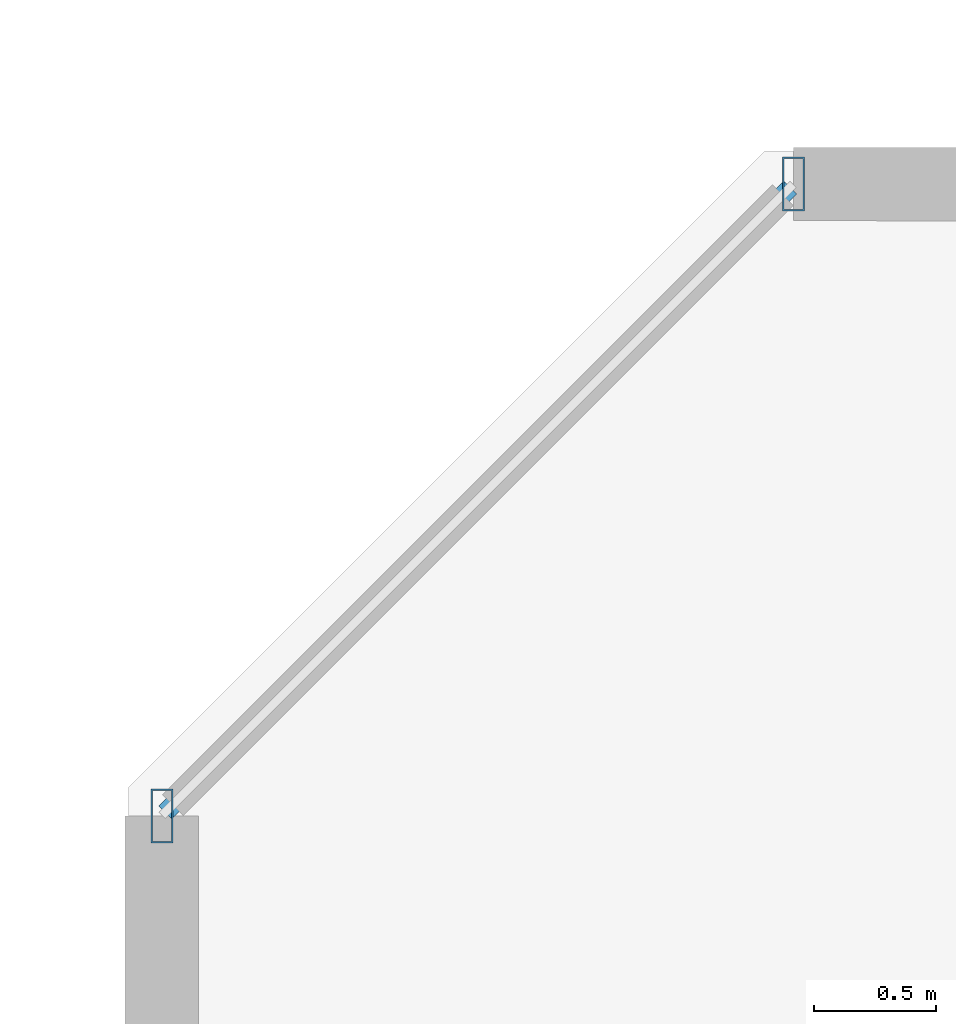
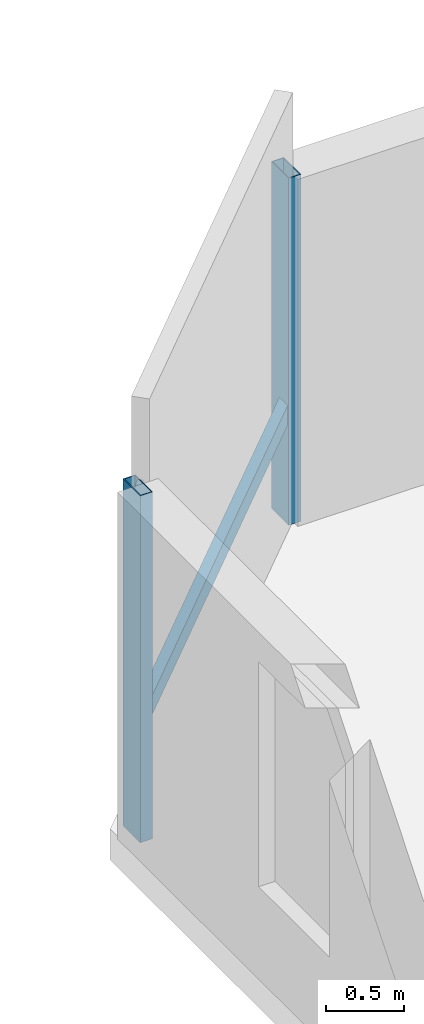
# One storey, part 15 of 33: 3 members, 1 element without a shape of its own.
"""IFC4 building model written with IfcOpenShell, lengths in metres."""

from ifc_helpers import new_model, si_unit, direction, frame, origin, origin_2d, place, context, subcontext, project, spatial, hollow_rectangle, extrude, material, material_profile, profile_set, type_object, element, aggregate, save


model = new_model("IFC4")

# Units and contexts
model_context = context("Model", 3, precision=1e-05, world=origin(), true_north=direction((0.0, 1.0)))
body_context = subcontext(model_context, "Body", "Model", "MODEL_VIEW")
ifc_project = project(units=[si_unit("LENGTHUNIT", "METRE"), si_unit("AREAUNIT", "SQUARE_METRE"), si_unit("VOLUMEUNIT", "CUBIC_METRE"), si_unit("PLANEANGLEUNIT", "RADIAN"), si_unit("MASSUNIT", "GRAM", prefix="KILO")], contexts=[model_context])

# Site, building, storey
site_placement = place(None, origin())
site = spatial("IfcSite", under=ifc_project, at=site_placement, CompositionType="ELEMENT")
building_placement = place(site_placement, origin())
building = spatial("IfcBuilding", under=site, at=building_placement, Name="Thornwick Lancets Civic Towers", CompositionType="ELEMENT")
storey_placement = place(building_placement, frame((0.0, 0.0, 108.89990234375)))
storey = spatial("IfcBuildingStorey", under=building, at=storey_placement, Name="L28", CompositionType="ELEMENT", Elevation=108.89990234375)

# Curtain wall, members
ifc_material_1 = material(Name="Low-zone chamfered-corner unitised glass curtain wall", Category="glass")
curtain_wall_type = type_object("IfcCurtainWallType", Name="CW_SYS_03", PredefinedType="NOTDEFINED", material=ifc_material_1)
curtain_wall_placement = place(storey_placement, origin())
curtain_wall = element("IfcCurtainWall", 1, at=curtain_wall_placement, inside=storey, type_object=curtain_wall_type, Name="L28 Curtain Wall CW-L28-B-E5", PredefinedType="NOTDEFINED")
ifc_material_2 = material(Name="Thermally broken bronze aluminium S355", Category="steel")
ifc_material_profile_1 = material_profile(ifc_material_2, hollow_rectangle(XDim=0.090087890625, YDim=0.219970703125, WallThickness=0.00634765625, at=origin_2d()), Name="RHS 220x90x6.3")
ifc_profile_set_1 = profile_set([ifc_material_profile_1], Name="Thermally broken bronze aluminium S355")
member_type_1 = type_object("IfcMemberType", Name="CW_MUL_220", PredefinedType="MULLION", material=ifc_profile_set_1)
member_1_placement = place(storey_placement, frame((67.11865234375, 44.964599609375, 0.0), z_axis=(0.0, 0.0, 1.0), x_axis=(1.0, 0.0, 0.0)))
member_1 = element("IfcMember", 2, at=member_1_placement, type_object=member_type_1, Name="CW-L28-B-E5 Mullion 0", PredefinedType="MULLION", context=body_context, shape_type="SweptSolid", body=[
    extrude(hollow_rectangle(XDim=0.090087890625, YDim=0.219970703125, WallThickness=0.00634765625, at=origin_2d()), origin(), (0.0, 0.0, 1.0), 2.7001953125),
])
member_2_placement = place(storey_placement, frame((64.535400390625, 42.38134765625, 0.0), z_axis=(0.0, 0.0, 1.0), x_axis=(1.0, 0.0, 0.0)))
member_2 = element("IfcMember", 3, at=member_2_placement, type_object=member_type_1, Name="CW-L28-B-E5 Mullion 1", PredefinedType="MULLION", context=body_context, shape_type="SweptSolid", body=[
    extrude(hollow_rectangle(XDim=0.090087890625, YDim=0.219970703125, WallThickness=0.00634765625, at=origin_2d()), origin(), (0.0, 0.0, 1.0), 2.7001953125),
])
ifc_material_profile_2 = material_profile(ifc_material_2, hollow_rectangle(XDim=0.074951171875, YDim=0.14990234375, WallThickness=0.0048828125, at=origin_2d()), Name="RHS 150x75x5")
ifc_profile_set_2 = profile_set([ifc_material_profile_2], Name="Thermally broken bronze aluminium S355")
member_type_2 = type_object("IfcMemberType", Name="CW_TRN_150", PredefinedType="USERDEFINED", material=ifc_profile_set_2)
member_3_placement = place(storey_placement, frame((67.1044921875, 44.95068359375, 0.85009765625), z_axis=(-0.707106781187, -0.707106781187, 0.0), x_axis=(0.707106781187, -0.707106781187, 0.0)))
member_3 = element("IfcMember", 4, at=member_3_placement, type_object=member_type_2, Name="CW-L28-B-E5 Transom 0", ObjectType="TRANSOM", PredefinedType="USERDEFINED", context=body_context, shape_type="SweptSolid", body=[
    extrude(hollow_rectangle(XDim=0.074951171875, YDim=0.14990234375, WallThickness=0.0048828125, at=origin_2d()), origin(), (0.0, 0.0, 1.0), 3.613525390625),
])
aggregate(curtain_wall, [member_1, member_2, member_3])

save(model, "model.ifc")
